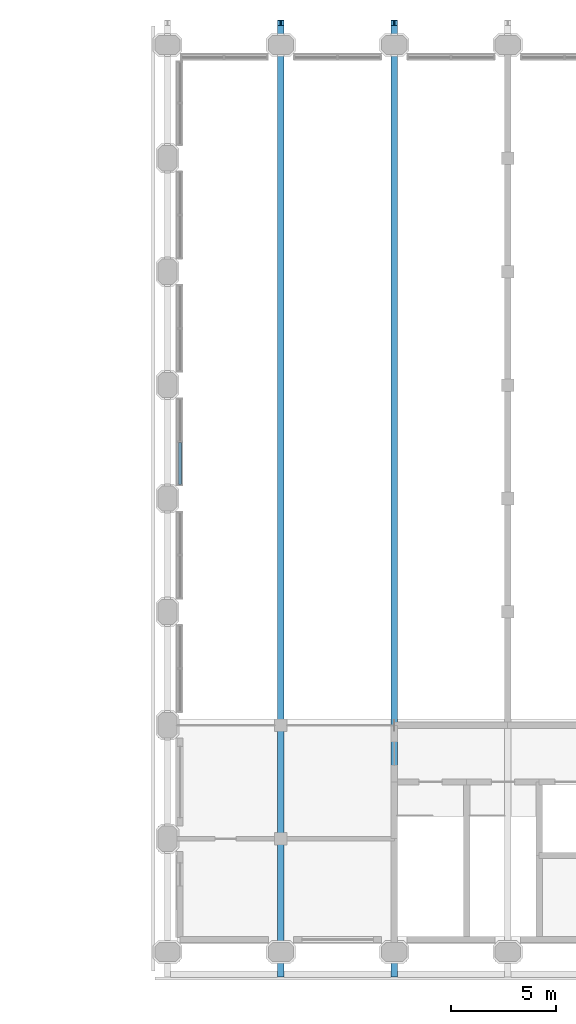
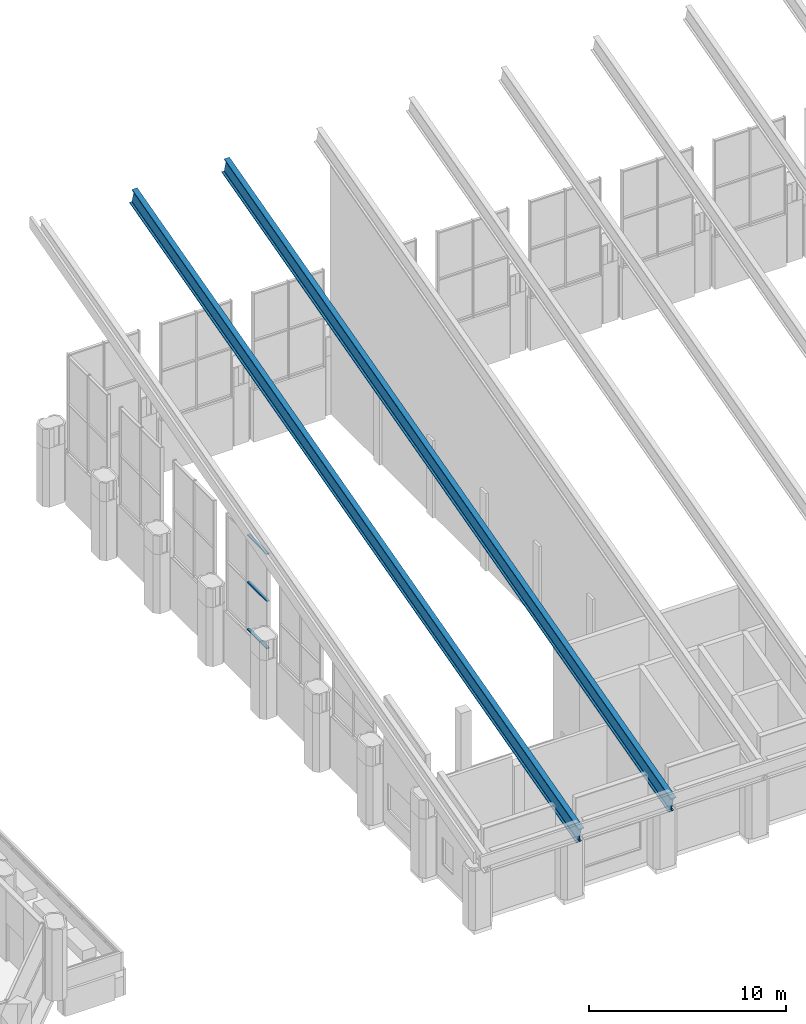
# One storey, part 13 of 42: 3 members, 2 beams, 1 element without a shape of its own.
"""IFC4 building model written with IfcOpenShell, lengths in metres."""

from ifc_helpers import new_model, si_unit, direction, frame, origin, origin_2d, place, context, subcontext, project, spatial, rectangle, i_section, extrude, material, material_profile, profile_set, type_object, element, aggregate, save


model = new_model("IFC4")

# Units and contexts
model_context = context("Model", 3, precision=1e-05, world=origin(), true_north=direction((0.0, 1.0)))
body_context = subcontext(model_context, "Body", "Model", "MODEL_VIEW")
ifc_project = project(units=[si_unit("LENGTHUNIT", "METRE"), si_unit("AREAUNIT", "SQUARE_METRE"), si_unit("VOLUMEUNIT", "CUBIC_METRE"), si_unit("PLANEANGLEUNIT", "RADIAN"), si_unit("MASSUNIT", "GRAM", prefix="KILO")], contexts=[model_context])

# Site, building, storey
site_placement = place(None, origin())
site = spatial("IfcSite", under=ifc_project, at=site_placement, CompositionType="ELEMENT")
building_placement = place(site_placement, origin())
building = spatial("IfcBuilding", under=site, at=building_placement, Name="Tabaq Tower and Sports Hall", CompositionType="ELEMENT")
storey_placement = place(building_placement, frame((0.0, 0.0, 19.800048828125)))
storey = spatial("IfcBuildingStorey", under=building, at=storey_placement, Name="L03", CompositionType="ELEMENT", Elevation=19.800048828125)

# Curtain wall, members
ifc_material_1 = material(Name="Aluminium alloy 6063-T6 framed glazing", Category="aluminium")
curtain_wall_type = type_object("IfcCurtainWallType", Name="CW6 curtain wall", PredefinedType="USERDEFINED", material=ifc_material_1)
curtain_wall_placement = place(storey_placement, origin())
curtain_wall = element("IfcCurtainWall", 1, at=curtain_wall_placement, inside=storey, type_object=curtain_wall_type, Name="L03 W hall glazing run", ObjectType="HALL FACADE WALL", PredefinedType="USERDEFINED")
ifc_material_2 = material(Name="Aluminium alloy 6063-T6", Category="aluminium")
ifc_material_profile_1 = material_profile(ifc_material_2, rectangle(XDim=0.159912109375, YDim=0.070068359375, at=origin_2d()), Name="TRANSOM 160x70")
ifc_profile_set_1 = profile_set([ifc_material_profile_1], Name="Aluminium alloy 6063-T6")
member_type = type_object("IfcMemberType", Name="CW6 transom 160x70", PredefinedType="USERDEFINED", material=ifc_profile_set_1)
member_1_placement = place(storey_placement, frame((65.39990234375, 22.27001953125, 3.280029296875), z_axis=(0.0, 1.0, 0.0), x_axis=(-1.0, 0.0, 0.0)))
member_1 = element("IfcMember", 2, at=member_1_placement, type_object=member_type, Name="CW6 transom 1.1", ObjectType="TRANSOM", PredefinedType="USERDEFINED", context=body_context, shape_type="SweptSolid", body=[
    extrude(rectangle(XDim=0.159912109375, YDim=0.070068359375, at=origin_2d()), origin(), (0.0, 0.0, 1.0), 1.994873046875),
])
member_2_placement = place(storey_placement, frame((65.39990234375, 22.27001953125, 6.199951171875), z_axis=(0.0, 1.0, 0.0), x_axis=(-1.0, 0.0, 0.0)))
member_2 = element("IfcMember", 3, at=member_2_placement, type_object=member_type, Name="CW6 transom 1.2", ObjectType="TRANSOM", PredefinedType="USERDEFINED", context=body_context, shape_type="SweptSolid", body=[
    extrude(rectangle(XDim=0.159912109375, YDim=0.070068359375, at=origin_2d()), origin(), (0.0, 0.0, 1.0), 1.994873046875),
])
member_3_placement = place(storey_placement, frame((65.39990234375, 22.27001953125, 9.119873046875), z_axis=(0.0, 1.0, 0.0), x_axis=(-1.0, 0.0, 0.0)))
member_3 = element("IfcMember", 4, at=member_3_placement, type_object=member_type, Name="CW6 transom 1.3", ObjectType="TRANSOM", PredefinedType="USERDEFINED", context=body_context, shape_type="SweptSolid", body=[
    extrude(rectangle(XDim=0.159912109375, YDim=0.070068359375, at=origin_2d()), origin(), (0.0, 0.0, 1.0), 1.994873046875),
])
aggregate(curtain_wall, [member_1, member_2, member_3])

# Beams
ifc_material_3 = material(Name="Steel S355", Category="steel")
ifc_material_profile_2 = material_profile(ifc_material_3, i_section(OverallWidth=0.305419921875, OverallDepth=1.026123046875, WebThickness=0.02685546875, FlangeThickness=0.048095703125, FilletRadius=0.030029296875, at=origin_2d()), Name="UB 1016x305x437")
ifc_profile_set_2 = profile_set([ifc_material_profile_2], Name="Steel S355")
beam_type = type_object("IfcBeamType", Name="HALL ROOF GIRDER UB 1016x305x437", PredefinedType="BEAM", material=ifc_profile_set_2)
for number, where, z_axis, x_axis, name in (
    (5, (70.199951171875, -1.050048828125, 4.171875), (0.0, 0.96592544198, 0.258820479358), (-1.0, 0.0, 0.0), "Roof girder 14"),
    (6, (75.60009765625, -1.050048828125, 4.171875), (0.0, 0.96592544198, 0.258820479358), (-1.0, 0.0, 0.0), "Roof girder 15"),
):
    element("IfcBeam", number, at=place(storey_placement, frame(where, z_axis=z_axis, x_axis=x_axis)), inside=storey, type_object=beam_type, Name=name, PredefinedType="BEAM", context=body_context, shape_type="SweptSolid", body=[
        extrude(i_section(OverallWidth=0.305419921875, OverallDepth=1.026123046875, WebThickness=0.02685546875, FlangeThickness=0.048095703125, FilletRadius=0.030029296875, at=origin_2d()), origin(), (0.0, 0.0, 1.0), 46.898193359375),
    ])

save(model, "model.ifc")
